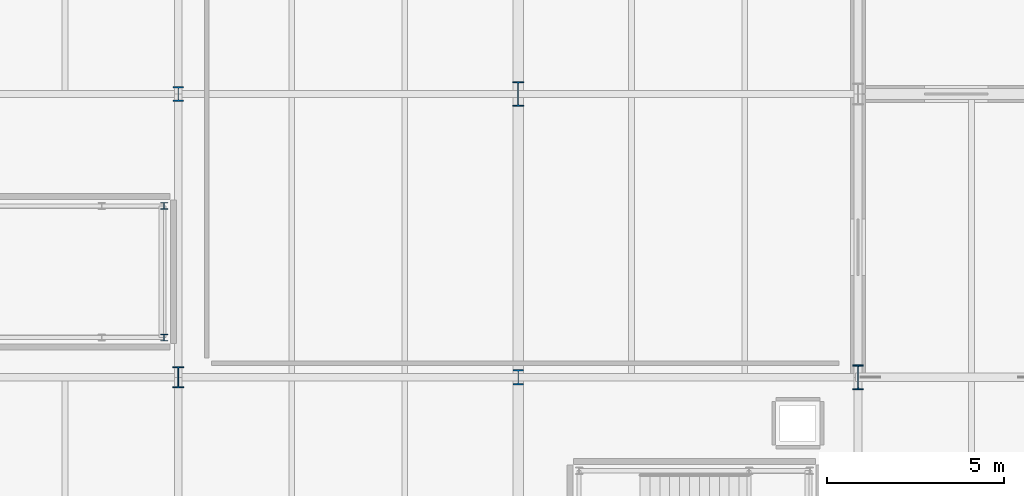
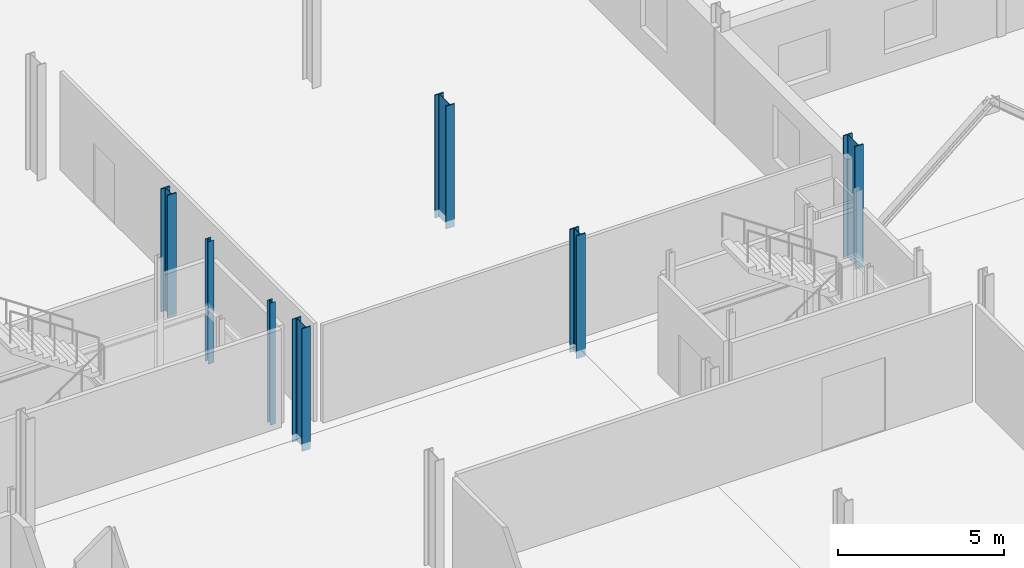
# One storey, part 14 of 78: 7 columns.
"""IFC4 building model written with IfcOpenShell, lengths in metres."""

from ifc_helpers import new_model, si_unit, direction, frame, origin, origin_2d, place, context, subcontext, project, spatial, i_section, extrude, material, material_profile, profile_set, type_object, element, save


model = new_model("IFC4")

# Units and contexts
model_context = context("Model", 3, precision=1e-05, world=origin(), true_north=direction((0.0, 1.0)))
body_context = subcontext(model_context, "Body", "Model", "MODEL_VIEW")
ifc_project = project(units=[si_unit("LENGTHUNIT", "METRE"), si_unit("AREAUNIT", "SQUARE_METRE"), si_unit("VOLUMEUNIT", "CUBIC_METRE"), si_unit("PLANEANGLEUNIT", "RADIAN"), si_unit("MASSUNIT", "GRAM", prefix="KILO")], contexts=[model_context])

# Site, building, storey
site_placement = place(None, origin())
site = spatial("IfcSite", under=ifc_project, at=site_placement, CompositionType="ELEMENT")
building_placement = place(site_placement, origin())
building = spatial("IfcBuilding", under=site, at=building_placement, Name="Alderhovde Museum", CompositionType="ELEMENT")
storey_placement = place(building_placement, origin())
storey = spatial("IfcBuildingStorey", under=building, at=storey_placement, Name="L00", CompositionType="ELEMENT", Elevation=0.0)

# Columns
ifc_material_1 = material(Name="Steel S355J2", Category="steel")
ifc_material_profile_1 = material_profile(ifc_material_1, i_section(OverallWidth=0.199951171875, OverallDepth=0.18994140625, WebThickness=0.006591796875, FlangeThickness=0.010009765625, FilletRadius=0.01806640625, at=origin_2d()), Name="HEA 200")
ifc_profile_set_1 = profile_set([ifc_material_profile_1], Name="Steel S355J2")
column_type_1 = type_object("IfcColumnType", Name="COL-HEA200", PredefinedType="COLUMN", material=ifc_profile_set_1)
for number, where, z_axis, x_axis, name in (
    (1, (38.0, 81.1201171875, 0.0), (0.0, 0.0, 1.0), (1.0, 0.0, 0.0), "L00 Stair ST2 Shaft Column 2"),
    (2, (38.0, 84.840087890625, 0.0), (0.0, 0.0, 1.0), (1.0, 0.0, 0.0), "L00 Stair ST2 Shaft Column 3"),
):
    element("IfcColumn", number, at=place(storey_placement, frame(where, z_axis=z_axis, x_axis=x_axis)), inside=storey, type_object=column_type_1, Name=name, PredefinedType="COLUMN", context=body_context, shape_type="SweptSolid", body=[
        extrude(i_section(OverallWidth=0.199951171875, OverallDepth=0.18994140625, WebThickness=0.006591796875, FlangeThickness=0.010009765625, FilletRadius=0.01806640625, at=origin_2d()), origin(), (0.0, 0.0, 1.0), 4.5),
    ])
ifc_material_2 = material(Name="Steel S355J2", Category="steel")
ifc_material_profile_2 = material_profile(ifc_material_2, i_section(OverallWidth=0.300048828125, OverallDepth=0.60009765625, WebThickness=0.015380859375, FlangeThickness=0.030029296875, FilletRadius=0.027099609375, at=origin_2d()), Name="HEB 600")
ifc_profile_set_2 = profile_set([ifc_material_profile_2], Name="Steel S355J2")
column_type_2 = type_object("IfcColumnType", Name="COL-HEB600", PredefinedType="COLUMN", material=ifc_profile_set_2)
column_placement = place(storey_placement, frame((38.39990234375, 80.0, -0.280029296875), z_axis=(0.0, 0.0, 1.0), x_axis=(1.0, 0.0, 0.0)))
element("IfcColumn", 3, at=column_placement, inside=storey, type_object=column_type_2, Name="L00 Column (38.4, 80.0)", PredefinedType="COLUMN", context=body_context, shape_type="SweptSolid", body=[
    extrude(i_section(OverallWidth=0.300048828125, OverallDepth=0.60009765625, WebThickness=0.015380859375, FlangeThickness=0.030029296875, FilletRadius=0.027099609375, at=origin_2d()), origin(), (0.0, 0.0, 1.0), 4.52001953125),
])
ifc_material_3 = material(Name="Steel S355J2", Category="steel")
ifc_material_profile_3 = material_profile(ifc_material_3, i_section(OverallWidth=0.300048828125, OverallDepth=0.699951171875, WebThickness=0.01708984375, FlangeThickness=0.031982421875, FilletRadius=0.027099609375, at=origin_2d()), Name="HEB 700")
ifc_profile_set_3 = profile_set([ifc_material_profile_3], Name="Steel S355J2")
column_type_3 = type_object("IfcColumnType", Name="COL-HEB700", PredefinedType="COLUMN", material=ifc_profile_set_3)
for number, where, z_axis, x_axis, name in (
    (4, (48.0, 88.0, -0.280029296875), (0.0, 0.0, 1.0), (1.0, 0.0, 0.0), "L00 Column (48.0, 88.0)"),
    (5, (57.60009765625, 80.0, -0.280029296875), (0.0, 0.0, 1.0), (1.0, 0.0, 0.0), "L00 Column (57.6, 80.0)"),
):
    element("IfcColumn", number, at=place(storey_placement, frame(where, z_axis=z_axis, x_axis=x_axis)), inside=storey, type_object=column_type_3, Name=name, PredefinedType="COLUMN", context=body_context, shape_type="SweptSolid", body=[
        extrude(i_section(OverallWidth=0.300048828125, OverallDepth=0.699951171875, WebThickness=0.01708984375, FlangeThickness=0.031982421875, FilletRadius=0.027099609375, at=origin_2d()), origin(), (0.0, 0.0, 1.0), 4.52001953125),
    ])
ifc_material_4 = material(Name="Steel S355J2", Category="steel")
ifc_material_profile_4 = material_profile(ifc_material_4, i_section(OverallWidth=0.306884765625, OverallDepth=0.431884765625, WebThickness=0.02099609375, FlangeThickness=0.0400390625, FilletRadius=0.027099609375, at=origin_2d()), Name="HEM 400")
ifc_profile_set_4 = profile_set([ifc_material_profile_4], Name="Steel S355J2")
column_type_4 = type_object("IfcColumnType", Name="COL-HEM400", PredefinedType="COLUMN", material=ifc_profile_set_4)
for number, where, z_axis, x_axis, name in (
    (6, (38.39990234375, 88.0, -0.280029296875), (0.0, 0.0, 1.0), (1.0, 0.0, 0.0), "L00 Column (38.4, 88.0)"),
    (7, (48.0, 80.0, -0.280029296875), (0.0, 0.0, 1.0), (1.0, 0.0, 0.0), "L00 Column (48.0, 80.0)"),
):
    element("IfcColumn", number, at=place(storey_placement, frame(where, z_axis=z_axis, x_axis=x_axis)), inside=storey, type_object=column_type_4, Name=name, PredefinedType="COLUMN", context=body_context, shape_type="SweptSolid", body=[
        extrude(i_section(OverallWidth=0.306884765625, OverallDepth=0.431884765625, WebThickness=0.02099609375, FlangeThickness=0.0400390625, FilletRadius=0.027099609375, at=origin_2d()), origin(), (0.0, 0.0, 1.0), 4.52001953125),
    ])

save(model, "model.ifc")
